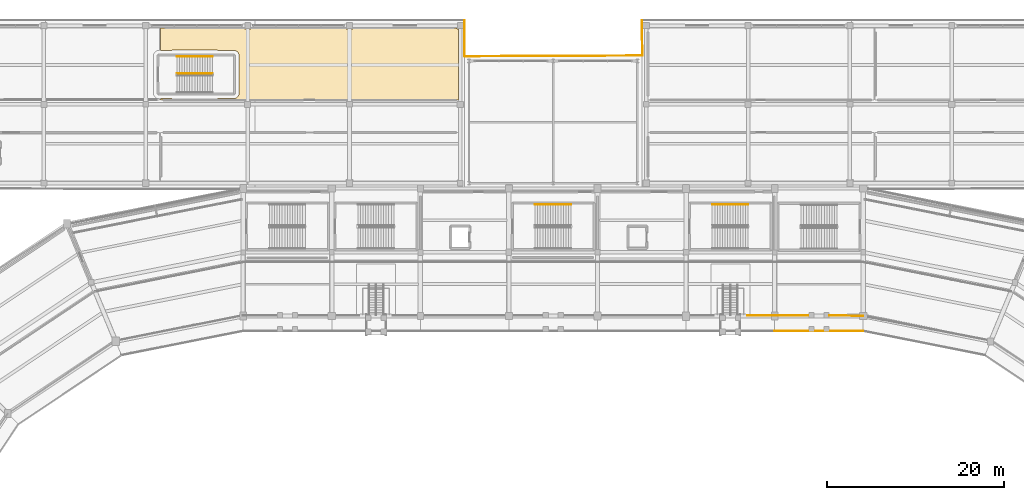
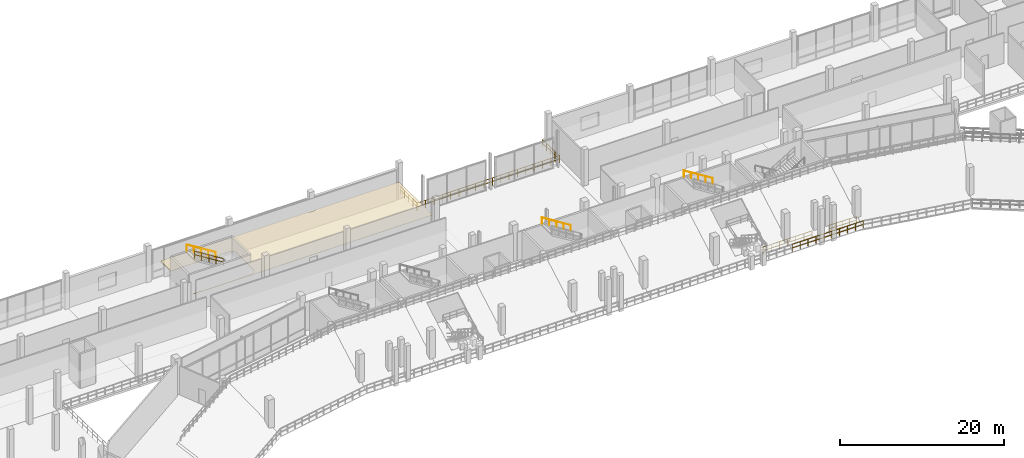
# One storey, part 124 of 127: 10 railings, 1 covering.
"""IFC4 building model written with IfcOpenShell, lengths in metres."""

from ifc_helpers import new_model, si_unit, direction, frame, origin, origin_2d, place, context, subcontext, project, spatial, polyline, circle, outline, extrude, material, layer, layer_set, type_object, element, save


model = new_model("IFC4")

# Units and contexts
model_context = context("Model", 3, precision=1e-05, world=origin(), true_north=direction((0.0, 1.0)))
body_context = subcontext(model_context, "Body", "Model", "MODEL_VIEW")
ifc_project = project(units=[si_unit("LENGTHUNIT", "METRE"), si_unit("AREAUNIT", "SQUARE_METRE"), si_unit("VOLUMEUNIT", "CUBIC_METRE"), si_unit("PLANEANGLEUNIT", "RADIAN"), si_unit("MASSUNIT", "GRAM", prefix="KILO")], contexts=[model_context])

# Site, building, storey
site_placement = place(None, origin())
site = spatial("IfcSite", under=ifc_project, at=site_placement, CompositionType="ELEMENT")
building_placement = place(site_placement, origin())
building = spatial("IfcBuilding", under=site, at=building_placement, Name="Candeia Ridge Stadium", CompositionType="ELEMENT")
storey_placement = place(building_placement, frame((0.0, 0.0, 10.800048828125)))
storey = spatial("IfcBuildingStorey", under=building, at=storey_placement, Name="L02", CompositionType="ELEMENT", Elevation=10.800048828125)

# Covering
ifc_material_1 = material(Name="Western Red Cedar Acoustic Slat", Category="wood")
ifc_layer_1 = layer(ifc_material_1, 0.044921875, Name="Western Red Cedar Acoustic Slat", Category="wood")
ifc_layer_set_1 = layer_set([ifc_layer_1], Name="Western Red Cedar Acoustic Slat")
covering_type = type_object("IfcCoveringType", Name="Slatted Cedar Acoustic Ceiling 45", PredefinedType="CEILING", material=ifc_layer_set_1)
covering_placement = place(storey_placement, frame((0.0, 0.0, 2.510009765625)))
element("IfcCovering", 1, at=covering_placement, inside=storey, type_object=covering_type, Name="Acoustic ceiling Civic Sports Heritage Hall", PredefinedType="CEILING", context=body_context, shape_type="SweptSolid", body=[
    extrude(outline(polyline([(61.670654296875, 165.10595703125), (61.67138671875, 165.108642578125), (61.67236328125, 165.111572265625), (61.673583984375, 165.114013671875), (61.675048828125, 165.11669921875), (61.6767578125, 165.118896484375), (61.6787109375, 165.12109375), (61.680908203125, 165.123291015625), (61.683349609375, 165.125), (61.685791015625, 165.12646484375), (61.6884765625, 165.127685546875), (61.69140625, 165.128662109375), (61.694091796875, 165.12939453125), (61.697021484375, 165.1298828125), (61.699951171875, 165.1298828125), (71.135009765625, 165.1298828125), (71.135009765625, 165.034912109375), (71.864990234375, 165.034912109375), (71.864990234375, 165.1298828125), (82.610107421875, 165.1298828125), (82.610107421875, 165.010009765625), (83.389892578125, 165.010009765625), (83.389892578125, 165.1298828125), (95.135009765625, 165.1298828125), (95.135009765625, 165.034912109375), (95.330078125, 165.034912109375), (95.330078125, 157.0), (95.329833984375, 156.9970703125), (95.329345703125, 156.994140625), (95.32861328125, 156.9912109375), (95.32763671875, 156.988525390625), (95.326416015625, 156.98583984375), (95.324951171875, 156.9833984375), (95.3232421875, 156.98095703125), (95.3212890625, 156.978759765625), (95.319091796875, 156.976806640625), (95.316650390625, 156.97509765625), (95.314208984375, 156.973388671875), (95.3115234375, 156.972412109375), (95.30859375, 156.97119140625), (95.305908203125, 156.970703125), (95.302978515625, 156.97021484375), (95.300048828125, 156.969970703125), (61.699951171875, 156.969970703125), (61.697021484375, 156.97021484375), (61.694091796875, 156.970703125), (61.69140625, 156.97119140625), (61.6884765625, 156.972412109375), (61.685791015625, 156.973388671875), (61.683349609375, 156.97509765625), (61.680908203125, 156.976806640625), (61.6787109375, 156.978759765625), (61.6767578125, 156.98095703125), (61.675048828125, 156.9833984375), (61.673583984375, 156.98583984375), (61.67236328125, 156.988525390625), (61.67138671875, 156.9912109375), (61.670654296875, 156.994140625), (61.670166015625, 156.9970703125), (61.669921875, 157.0), (61.669921875, 157.14990234375), (62.92041015625, 157.14990234375), (62.93505859375, 157.141357421875), (62.966064453125, 157.126708984375), (62.998291015625, 157.114990234375), (63.03173828125, 157.106689453125), (63.065673828125, 157.101806640625), (63.10009765625, 157.10009765625), (67.9599609375, 157.10009765625), (67.994384765625, 157.101806640625), (68.0283203125, 157.106689453125), (68.0615234375, 157.114990234375), (68.093994140625, 157.126708984375), (68.125, 157.141357421875), (68.139404296875, 157.14990234375), (69.89990234375, 157.14990234375), (69.917236328125, 157.150390625), (69.946533203125, 157.15185546875), (69.980712890625, 157.1552734375), (70.010009765625, 157.15966796875), (70.043701171875, 157.166259765625), (70.072021484375, 157.17333984375), (70.10498046875, 157.183349609375), (70.1328125, 157.193359375), (70.164306640625, 157.206298828125), (70.191162109375, 157.218994140625), (70.221435546875, 157.235107421875), (70.24658203125, 157.25048828125), (70.275146484375, 157.269287109375), (70.298828125, 157.287109375), (70.325439453125, 157.308837890625), (70.34716796875, 157.32861328125), (70.37158203125, 157.352783203125), (70.39111328125, 157.37451171875), (70.4130859375, 157.401123046875), (70.4306640625, 157.4248046875), (70.44970703125, 157.453369140625), (70.46484375, 157.478515625), (70.48095703125, 157.5087890625), (70.49365234375, 157.53564453125), (70.506591796875, 157.5673828125), (70.5166015625, 157.594970703125), (70.526611328125, 157.6279296875), (70.53369140625, 157.656494140625), (70.540283203125, 157.690185546875), (70.544921875, 157.71923828125), (70.548095703125, 157.75341796875), (70.549560546875, 157.78271484375), (70.550048828125, 157.800048828125), (70.550048828125, 161.949951171875), (70.549560546875, 161.96728515625), (70.548095703125, 161.99658203125), (70.544921875, 162.03076171875), (70.540283203125, 162.059814453125), (70.53369140625, 162.093505859375), (70.526611328125, 162.1220703125), (70.5166015625, 162.155029296875), (70.506591796875, 162.1826171875), (70.49365234375, 162.21435546875), (70.48095703125, 162.2412109375), (70.46484375, 162.271484375), (70.44970703125, 162.296630859375), (70.4306640625, 162.3251953125), (70.4130859375, 162.348876953125), (70.39111328125, 162.37548828125), (70.37158203125, 162.397216796875), (70.34716796875, 162.42138671875), (70.325439453125, 162.441162109375), (70.298828125, 162.462890625), (70.275146484375, 162.480712890625), (70.24658203125, 162.49951171875), (70.221435546875, 162.514892578125), (70.191162109375, 162.531005859375), (70.164306640625, 162.543701171875), (70.1328125, 162.556640625), (70.10498046875, 162.566650390625), (70.072021484375, 162.57666015625), (70.043701171875, 162.583740234375), (70.010009765625, 162.59033203125), (69.980712890625, 162.5947265625), (69.946533203125, 162.59814453125), (69.917236328125, 162.599609375), (69.89990234375, 162.60009765625), (68.139404296875, 162.60009765625), (68.125, 162.608642578125), (68.093994140625, 162.623291015625), (68.0615234375, 162.635009765625), (68.0283203125, 162.643310546875), (67.994384765625, 162.648193359375), (67.9599609375, 162.64990234375), (63.10009765625, 162.64990234375), (63.065673828125, 162.648193359375), (63.03173828125, 162.643310546875), (62.998291015625, 162.635009765625), (62.966064453125, 162.623291015625), (62.93505859375, 162.608642578125), (62.92041015625, 162.60009765625), (61.669921875, 162.60009765625), (61.669921875, 165.10009765625), (61.670166015625, 165.102783203125), (61.670654296875, 165.10595703125)])), origin(), (0.0, 0.0, 1.0), 0.0400390625),
])

# Railings
ifc_material_2 = material(Name="Galvanized Powder-Coated Steel", Category="steel")
ifc_layer_2 = layer(ifc_material_2, 0.074951171875, Name="Galvanized Powder-Coated Steel", Category="steel")
ifc_layer_set_2 = layer_set([ifc_layer_2], Name="Galvanized Powder-Coated Steel")
railing_type_1 = type_object("IfcRailingType", Name="Spectator Bowl Front Guardrail 1120", PredefinedType="GUARDRAIL", material=ifc_layer_set_2)
railing_1_placement = place(storey_placement, frame((141.0, 130.919921875, 0.39990234375)))
element("IfcRailing", 2, at=railing_1_placement, inside=storey, type_object=railing_type_1, Name="Stand T2 front safety guardrail bay 01", PredefinedType="GUARDRAIL", context=body_context, shape_type="SweptSolid", body=[
    extrude(circle(Radius=0.02392578125, at=origin_2d()), frame((0.0, 0.0, 1.09619140625), z_axis=(-1.0, 0.0, 0.0), x_axis=(0.0, -1.0, 0.0)), (0.0, 0.0, 1.0), 10.0),
    extrude(circle(Radius=0.02392578125, at=origin_2d()), frame((0.0, 0.0, 0.56005859375), z_axis=(-1.0, 0.0, 0.0), x_axis=(0.0, -1.0, 0.0)), (0.0, 0.0, 1.0), 10.0),
    extrude(circle(Radius=0.02099609375, at=origin_2d()), origin(), (0.0, 0.0, 1.0), 1.072021484375),
    extrude(circle(Radius=0.02099609375, at=origin_2d()), frame((-1.111083984375, 0.0, 0.0)), (0.0, 0.0, 1.0), 1.072021484375),
    extrude(circle(Radius=0.02099609375, at=origin_2d()), frame((-2.22216796875, 0.0, 0.0)), (0.0, 0.0, 1.0), 1.072021484375),
    extrude(circle(Radius=0.02099609375, at=origin_2d()), frame((-3.333251953125, 0.0, 0.0)), (0.0, 0.0, 1.0), 1.072021484375),
    extrude(circle(Radius=0.02099609375, at=origin_2d()), frame((-4.4443359375, 0.0, 0.0)), (0.0, 0.0, 1.0), 1.072021484375),
    extrude(circle(Radius=0.02099609375, at=origin_2d()), frame((-5.5556640625, 0.0, 0.0)), (0.0, 0.0, 1.0), 1.072021484375),
    extrude(circle(Radius=0.02099609375, at=origin_2d()), frame((-6.666748046875, 0.0, 0.0)), (0.0, 0.0, 1.0), 1.072021484375),
    extrude(circle(Radius=0.02099609375, at=origin_2d()), frame((-7.77783203125, 0.0, 0.0)), (0.0, 0.0, 1.0), 1.072021484375),
    extrude(circle(Radius=0.02099609375, at=origin_2d()), frame((-8.888916015625, 0.0, 0.0)), (0.0, 0.0, 1.0), 1.072021484375),
    extrude(circle(Radius=0.02099609375, at=origin_2d()), frame((-10.0, 0.0, 0.0)), (0.0, 0.0, 1.0), 1.072021484375),
])
railing_2_placement = place(storey_placement, frame((96.0, 166.0, 0.0)))
element("IfcRailing", 3, at=railing_2_placement, inside=storey, type_object=railing_type_1, Name="Deck edge safety guardrail GR-DE-L02-0057", PredefinedType="GUARDRAIL", context=body_context, shape_type="SweptSolid", body=[
    extrude(circle(Radius=0.02392578125, at=origin_2d()), frame((0.0, 0.0, 1.09619140625), z_axis=(0.0, -1.0, 0.0), x_axis=(1.0, 0.0, 0.0)), (0.0, 0.0, 1.0), 4.080078125),
    extrude(circle(Radius=0.02392578125, at=origin_2d()), frame((0.0, 0.0, 0.56005859375), z_axis=(0.0, -1.0, 0.0), x_axis=(1.0, 0.0, 0.0)), (0.0, 0.0, 1.0), 4.080078125),
    extrude(circle(Radius=0.02099609375, at=origin_2d()), origin(), (0.0, 0.0, 1.0), 1.072021484375),
    extrude(circle(Radius=0.02099609375, at=origin_2d()), frame((0.0, -1.02001953125, 0.0)), (0.0, 0.0, 1.0), 1.072021484375),
    extrude(circle(Radius=0.02099609375, at=origin_2d()), frame((0.0, -2.0400390625, 0.0)), (0.0, 0.0, 1.0), 1.072021484375),
    extrude(circle(Radius=0.02099609375, at=origin_2d()), frame((0.0, -3.06005859375, 0.0)), (0.0, 0.0, 1.0), 1.072021484375),
    extrude(circle(Radius=0.02099609375, at=origin_2d()), frame((0.0, -4.080078125, 0.0)), (0.0, 0.0, 1.0), 1.072021484375),
])
railing_3_placement = place(storey_placement, frame((96.0, 161.919921875, 0.0)))
element("IfcRailing", 4, at=railing_3_placement, inside=storey, type_object=railing_type_1, Name="Deck edge safety guardrail GR-DE-L02-0058", PredefinedType="GUARDRAIL", context=body_context, shape_type="SweptSolid", body=[
    extrude(circle(Radius=0.02392578125, at=origin_2d()), frame((0.0, 0.0, 1.09619140625), z_axis=(0.999992048266, 0.003987907205, 0.0), x_axis=(-0.003987907205, 0.999992048266, 0.0)), (0.0, 0.0, 1.0), 20.080322265625),
    extrude(circle(Radius=0.02392578125, at=origin_2d()), frame((0.0, 0.0, 0.56005859375), z_axis=(0.999992048266, 0.003987907205, 0.0), x_axis=(-0.003987907205, 0.999992048266, 0.0)), (0.0, 0.0, 1.0), 20.080322265625),
    extrude(circle(Radius=0.02099609375, at=origin_2d()), origin(), (0.0, 0.0, 1.0), 1.072021484375),
    extrude(circle(Radius=0.02099609375, at=origin_2d()), frame((1.18115234375, 0.004638671875, 0.0)), (0.0, 0.0, 1.0), 1.072021484375),
    extrude(circle(Radius=0.02099609375, at=origin_2d()), frame((2.3623046875, 0.009521484375, 0.0)), (0.0, 0.0, 1.0), 1.072021484375),
    extrude(circle(Radius=0.02099609375, at=origin_2d()), frame((3.54345703125, 0.01416015625, 0.0)), (0.0, 0.0, 1.0), 1.072021484375),
    extrude(circle(Radius=0.02099609375, at=origin_2d()), frame((4.724609375, 0.018798828125, 0.0)), (0.0, 0.0, 1.0), 1.072021484375),
    extrude(circle(Radius=0.02099609375, at=origin_2d()), frame((5.906005859375, 0.0234375, 0.0)), (0.0, 0.0, 1.0), 1.072021484375),
    extrude(circle(Radius=0.02099609375, at=origin_2d()), frame((7.087158203125, 0.0283203125, 0.0)), (0.0, 0.0, 1.0), 1.072021484375),
    extrude(circle(Radius=0.02099609375, at=origin_2d()), frame((8.268310546875, 0.032958984375, 0.0)), (0.0, 0.0, 1.0), 1.072021484375),
    extrude(circle(Radius=0.02099609375, at=origin_2d()), frame((9.449462890625, 0.03759765625, 0.0)), (0.0, 0.0, 1.0), 1.072021484375),
    extrude(circle(Radius=0.02099609375, at=origin_2d()), frame((10.630615234375, 0.04248046875, 0.0)), (0.0, 0.0, 1.0), 1.072021484375),
    extrude(circle(Radius=0.02099609375, at=origin_2d()), frame((11.811767578125, 0.047119140625, 0.0)), (0.0, 0.0, 1.0), 1.072021484375),
    extrude(circle(Radius=0.02099609375, at=origin_2d()), frame((12.992919921875, 0.0517578125, 0.0)), (0.0, 0.0, 1.0), 1.072021484375),
    extrude(circle(Radius=0.02099609375, at=origin_2d()), frame((14.174072265625, 0.056640625, 0.0)), (0.0, 0.0, 1.0), 1.072021484375),
    extrude(circle(Radius=0.02099609375, at=origin_2d()), frame((15.35546875, 0.061279296875, 0.0)), (0.0, 0.0, 1.0), 1.072021484375),
    extrude(circle(Radius=0.02099609375, at=origin_2d()), frame((16.53662109375, 0.06591796875, 0.0)), (0.0, 0.0, 1.0), 1.072021484375),
    extrude(circle(Radius=0.02099609375, at=origin_2d()), frame((17.7177734375, 0.070556640625, 0.0)), (0.0, 0.0, 1.0), 1.072021484375),
    extrude(circle(Radius=0.02099609375, at=origin_2d()), frame((18.89892578125, 0.075439453125, 0.0)), (0.0, 0.0, 1.0), 1.072021484375),
    extrude(circle(Radius=0.02099609375, at=origin_2d()), frame((20.080078125, 0.080078125, 0.0)), (0.0, 0.0, 1.0), 1.072021484375),
])
railing_4_placement = place(storey_placement, frame((116.080078125, 162.0, 0.0)))
element("IfcRailing", 5, at=railing_4_placement, inside=storey, type_object=railing_type_1, Name="Deck edge safety guardrail GR-DE-L02-0059", PredefinedType="GUARDRAIL", context=body_context, shape_type="SweptSolid", body=[
    extrude(circle(Radius=0.02392578125, at=origin_2d()), frame((0.0, 0.0, 1.09619140625), z_axis=(-0.020015520725, 0.999799669399, 0.0), x_axis=(-0.999799669399, -0.020015520725, 0.0)), (0.0, 0.0, 1.0), 4.000732421875),
    extrude(circle(Radius=0.02392578125, at=origin_2d()), frame((0.0, 0.0, 0.56005859375), z_axis=(-0.020015520725, 0.999799669399, 0.0), x_axis=(-0.999799669399, -0.020015520725, 0.0)), (0.0, 0.0, 1.0), 4.000732421875),
    extrude(circle(Radius=0.02099609375, at=origin_2d()), origin(), (0.0, 0.0, 1.0), 1.072021484375),
    extrude(circle(Radius=0.02099609375, at=origin_2d()), frame((-0.02001953125, 1.0, 0.0)), (0.0, 0.0, 1.0), 1.072021484375),
    extrude(circle(Radius=0.02099609375, at=origin_2d()), frame((-0.0400390625, 2.0, 0.0)), (0.0, 0.0, 1.0), 1.072021484375),
    extrude(circle(Radius=0.02099609375, at=origin_2d()), frame((-0.06005859375, 3.0, 0.0)), (0.0, 0.0, 1.0), 1.072021484375),
    extrude(circle(Radius=0.02099609375, at=origin_2d()), frame((-0.080078125, 4.0, 0.0)), (0.0, 0.0, 1.0), 1.072021484375),
])
railing_5_placement = place(storey_placement, frame((141.0, 132.60009765625, 0.0)))
element("IfcRailing", 6, at=railing_5_placement, inside=storey, type_object=railing_type_1, Name="Deck edge safety guardrail GR-DE-L02-0100", PredefinedType="GUARDRAIL", context=body_context, shape_type="SweptSolid", body=[
    extrude(circle(Radius=0.02392578125, at=origin_2d()), frame((0.0, 0.0, 1.09619140625), z_axis=(-0.99978054811, 0.02094888115, 0.0), x_axis=(-0.02094888115, -0.99978054811, 0.0)), (0.0, 0.0, 1.0), 3.810791015625),
    extrude(circle(Radius=0.02392578125, at=origin_2d()), frame((0.0, 0.0, 0.56005859375), z_axis=(-0.99978054811, 0.02094888115, 0.0), x_axis=(-0.02094888115, -0.99978054811, 0.0)), (0.0, 0.0, 1.0), 3.810791015625),
    extrude(circle(Radius=0.02099609375, at=origin_2d()), origin(), (0.0, 0.0, 1.0), 1.072021484375),
    extrude(circle(Radius=0.02099609375, at=origin_2d()), frame((-0.95263671875, 0.02001953125, 0.0)), (0.0, 0.0, 1.0), 1.072021484375),
    extrude(circle(Radius=0.02099609375, at=origin_2d()), frame((-1.905029296875, 0.0400390625, 0.0)), (0.0, 0.0, 1.0), 1.072021484375),
    extrude(circle(Radius=0.02099609375, at=origin_2d()), frame((-2.857421875, 0.059814453125, 0.0)), (0.0, 0.0, 1.0), 1.072021484375),
    extrude(circle(Radius=0.02099609375, at=origin_2d()), frame((-3.81005859375, 0.079833984375, 0.0)), (0.0, 0.0, 1.0), 1.072021484375),
])
railing_6_placement = place(storey_placement, frame((134.81005859375, 132.679931640625, 0.0)))
element("IfcRailing", 7, at=railing_6_placement, inside=storey, type_object=railing_type_1, Name="Deck edge safety guardrail GR-DE-L02-0101", PredefinedType="GUARDRAIL", context=body_context, shape_type="SweptSolid", body=[
    extrude(circle(Radius=0.02392578125, at=origin_2d()), frame((0.0, 0.0, 1.09619140625), z_axis=(-1.0, 0.0, 0.0), x_axis=(0.0, -1.0, 0.0)), (0.0, 0.0, 1.0), 6.90771484375),
    extrude(circle(Radius=0.02392578125, at=origin_2d()), frame((0.0, 0.0, 0.56005859375), z_axis=(-1.0, 0.0, 0.0), x_axis=(0.0, -1.0, 0.0)), (0.0, 0.0, 1.0), 6.90771484375),
    extrude(circle(Radius=0.02099609375, at=origin_2d()), origin(), (0.0, 0.0, 1.0), 1.072021484375),
    extrude(circle(Radius=0.02099609375, at=origin_2d()), frame((-1.1513671875, 0.0, 0.0)), (0.0, 0.0, 1.0), 1.072021484375),
    extrude(circle(Radius=0.02099609375, at=origin_2d()), frame((-2.302490234375, 0.0, 0.0)), (0.0, 0.0, 1.0), 1.072021484375),
    extrude(circle(Radius=0.02099609375, at=origin_2d()), frame((-3.453857421875, 0.0, 0.0)), (0.0, 0.0, 1.0), 1.072021484375),
    extrude(circle(Radius=0.02099609375, at=origin_2d()), frame((-4.605224609375, 0.0, 0.0)), (0.0, 0.0, 1.0), 1.072021484375),
    extrude(circle(Radius=0.02099609375, at=origin_2d()), frame((-5.75634765625, 0.0, 0.0)), (0.0, 0.0, 1.0), 1.072021484375),
    extrude(circle(Radius=0.02099609375, at=origin_2d()), frame((-6.90771484375, 0.0, 0.0)), (0.0, 0.0, 1.0), 1.072021484375),
])
ifc_material_3 = material(Name="Brushed Stainless Steel", Category="steel")
ifc_layer_3 = layer(ifc_material_3, 0.048095703125, Name="Brushed Stainless Steel", Category="steel")
ifc_layer_set_3 = layer_set([ifc_layer_3], Name="Brushed Stainless Steel")
railing_type_2 = type_object("IfcRailingType", Name="Stair Wall & Flight Handrail 900", PredefinedType="HANDRAIL", material=ifc_layer_set_3)
for number, where, name in (
    (8, (128.010009765625, 145.199951171875, 2.8798828125), "L02 ST10 stair handrail 2"),
    (9, (67.56005859375, 161.89990234375, 2.8798828125), "L02 ST15 stair handrail 2"),
    (10, (108.010009765625, 145.199951171875, 2.8798828125), "L02 ST17 stair handrail 2"),
):
    element("IfcRailing", number, at=place(storey_placement, frame(where)), inside=storey, type_object=railing_type_2, Name=name, PredefinedType="HANDRAIL", context=body_context, shape_type="SweptSolid", body=[
        extrude(circle(Radius=0.02392578125, at=origin_2d()), frame((0.0, 0.0, 0.8759765625), z_axis=(-0.849641744969, 0.0, 0.527360318194), x_axis=(0.0, -1.0, 0.0)), (0.0, 0.0, 1.0), 4.778564453125),
        extrude(circle(Radius=0.02099609375, at=origin_2d()), origin(), (0.0, 0.0, 1.0), 0.851806640625),
        extrude(circle(Radius=0.02099609375, at=origin_2d()), frame((-1.01513671875, 0.0, 0.6298828125)), (0.0, 0.0, 1.0), 0.851806640625),
        extrude(circle(Radius=0.02099609375, at=origin_2d()), frame((-2.030029296875, 0.0, 1.260009765625)), (0.0, 0.0, 1.0), 0.851806640625),
        extrude(circle(Radius=0.02099609375, at=origin_2d()), frame((-3.044921875, 0.0, 1.89013671875)), (0.0, 0.0, 1.0), 0.851806640625),
        extrude(circle(Radius=0.02099609375, at=origin_2d()), frame((-4.06005859375, 0.0, 2.52001953125)), (0.0, 0.0, 1.0), 0.851806640625),
    ])
ifc_layer_4 = layer(ifc_material_2, 0.06005859375, Name="Galvanized Powder-Coated Steel", Category="steel")
ifc_layer_set_4 = layer_set([ifc_layer_4], Name="Galvanized Powder-Coated Steel")
railing_type_3 = type_object("IfcRailingType", Name="Stair Well Guardrail 1100", PredefinedType="GUARDRAIL", material=ifc_layer_set_4)
railing_7_placement = place(storey_placement, frame((67.56005859375, 160.0, 2.8798828125)))
element("IfcRailing", 11, at=railing_7_placement, inside=storey, type_object=railing_type_3, Name="L02 ST15 stair guard 3", PredefinedType="GUARDRAIL", context=body_context, shape_type="SweptSolid", body=[
    extrude(circle(Radius=0.02392578125, at=origin_2d()), frame((0.0, 0.0, 1.076171875), z_axis=(-0.849641744969, 0.0, 0.527360318194), x_axis=(0.0, -1.0, 0.0)), (0.0, 0.0, 1.0), 4.778564453125),
    extrude(circle(Radius=0.02392578125, at=origin_2d()), frame((0.0, 0.0, 0.550048828125), z_axis=(-0.849641744969, 0.0, 0.527360318194), x_axis=(0.0, -1.0, 0.0)), (0.0, 0.0, 1.0), 4.778564453125),
    extrude(circle(Radius=0.02099609375, at=origin_2d()), origin(), (0.0, 0.0, 1.0), 1.052001953125),
    extrude(circle(Radius=0.02099609375, at=origin_2d()), frame((-1.01513671875, 0.0, 0.6298828125)), (0.0, 0.0, 1.0), 1.052001953125),
    extrude(circle(Radius=0.02099609375, at=origin_2d()), frame((-2.030029296875, 0.0, 1.260009765625)), (0.0, 0.0, 1.0), 1.052001953125),
    extrude(circle(Radius=0.02099609375, at=origin_2d()), frame((-3.044921875, 0.0, 1.89013671875)), (0.0, 0.0, 1.0), 1.052001953125),
    extrude(circle(Radius=0.02099609375, at=origin_2d()), frame((-4.06005859375, 0.0, 2.52001953125)), (0.0, 0.0, 1.0), 1.052001953125),
])

save(model, "model.ifc")
